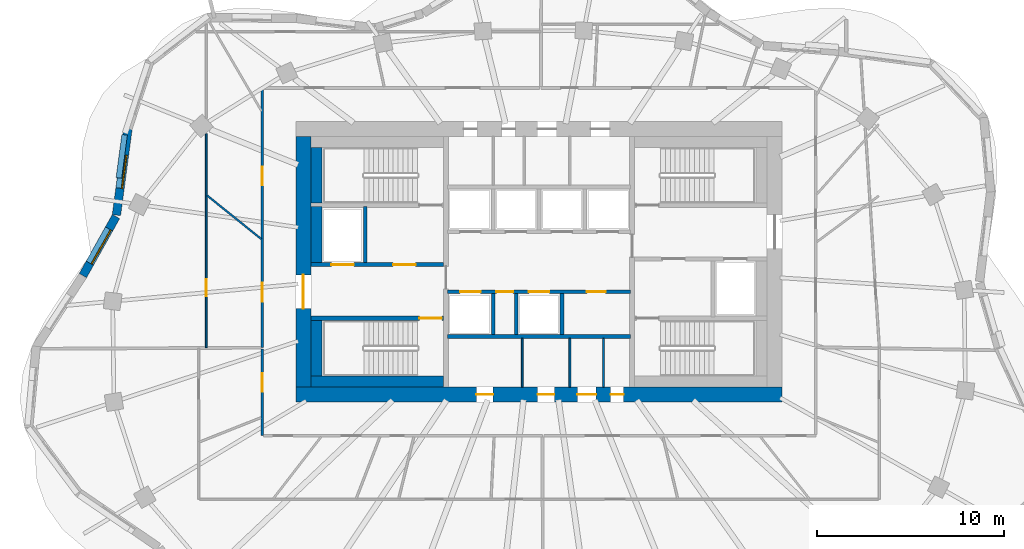
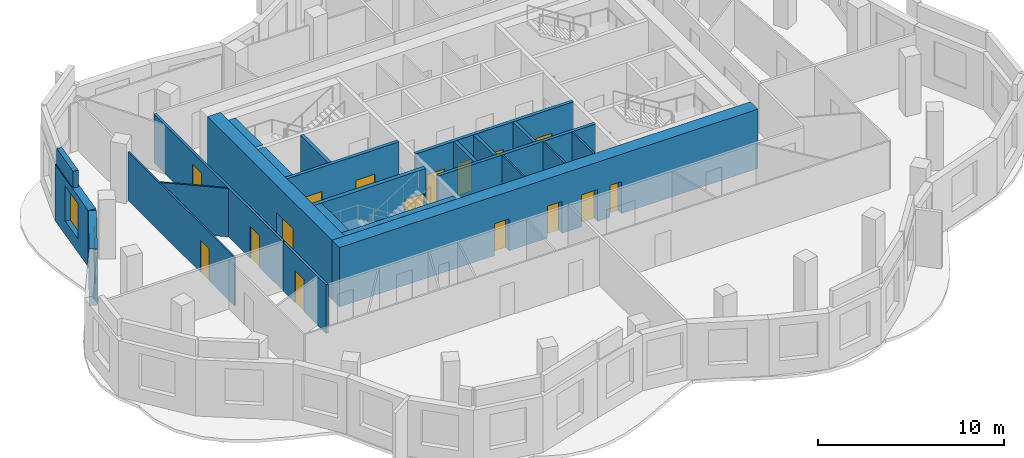
# One storey, part 4 of 9: 24 walls, 16 doors, 2 windows, 18 openings.
"""IFC4 building model written with IfcOpenShell, lengths in metres."""

import ifcopenshell
import ifcopenshell.guid

model = None  # the IFC model being written
_history = None  # IfcOwnerHistory: only IFC2X3 demands one
_inside = {}  # id of a spatial element -> (the spatial element, [elements in it])
_under = {}  # id of a project, library or spatial element -> (it, [spatial elements below it])
_declared = {}  # id of a project -> (the project, [libraries it declares])
_typed = {}  # id of a type object -> (the type object, [elements of that type])
_made_of = {}  # id of a material, layer set ... -> (it, [elements and type objects made of it])


def new_model(schema):
    """Start an empty IFC model of exactly this schema.

    Asked for "IFC4X3", IfcOpenShell would pick the latest addendum, in which some entities
    have other attributes; the version numbers below select the first issue.
    IFC2X3 requires an IfcOwnerHistory on every rooted entity: one is made here for all.
    """
    global model, _history
    if schema == "IFC4X3":
        model = ifcopenshell.file(schema_version=(4, 3, 0, 0))
    else:
        model = ifcopenshell.file(schema=schema)
    _inside.clear()
    _under.clear()
    _declared.clear()
    _typed.clear()
    _made_of.clear()
    _history = None
    if model.schema == "IFC2X3":
        org = make("IfcOrganization", Name="unknown")
        user = make(
            "IfcPersonAndOrganization",
            ThePerson=make("IfcPerson", FamilyName="unknown"),
            TheOrganization=org,
        )
        app = make(
            "IfcApplication",
            ApplicationDeveloper=org,
            Version="unknown",
            ApplicationFullName="unknown",
            ApplicationIdentifier="unknown",
        )
        _history = make(
            "IfcOwnerHistory",
            OwningUser=user,
            OwningApplication=app,
            ChangeAction="ADDED",
            CreationDate=0,
        )
    return model


def make(cls, **values):
    """One entity of the class cls with the attributes given. An attribute that is None is left unset."""
    return model.create_entity(
        cls, **{name: value for name, value in values.items() if value is not None}
    )


def rooted(cls, **values):
    """An entity with a GlobalId (a new one), such as an element, a storey or a relation."""
    return make(cls, GlobalId=ifcopenshell.guid.new(), OwnerHistory=_history, **values)


def si_unit(unit_type, name, prefix=None):
    """IfcSIUnit, for example si_unit("LENGTHUNIT", "METRE", prefix="MILLI")."""
    return make("IfcSIUnit", UnitType=unit_type, Prefix=prefix, Name=name)


def assignment(units):
    """IfcUnitAssignment: the units of a project."""
    return None if units is None else make("IfcUnitAssignment", Units=units)


def point(xyz):
    """IfcCartesianPoint."""
    return None if xyz is None else make("IfcCartesianPoint", Coordinates=xyz)


def direction(xyz):
    """IfcDirection."""
    return None if xyz is None else make("IfcDirection", DirectionRatios=xyz)


def frame(location, z_axis=None, x_axis=None):
    """IfcAxis2Placement3D, a coordinate frame: its origin and axes. An axis left out is left unset."""
    return make(
        "IfcAxis2Placement3D",
        Location=point(location),
        Axis=direction(z_axis),
        RefDirection=direction(x_axis),
    )


def frame_2d(location, x_axis=None):
    """IfcAxis2Placement2D, a coordinate frame in the plane: its origin and x axis."""
    return make(
        "IfcAxis2Placement2D", Location=point(location), RefDirection=direction(x_axis)
    )


def origin():
    """The frame at (0, 0, 0) with its axes left unset."""
    return frame((0.0, 0.0, 0.0))


def place(relative_to, where):
    """IfcLocalPlacement: puts the frame where relative to a parent placement (None: the world)."""
    return make(
        "IfcLocalPlacement", PlacementRelTo=relative_to, RelativePlacement=where
    )


def context(
    kind, dimensions, precision=None, world=None, true_north=None, identifier=None
):
    """IfcGeometricRepresentationContext, for example the 3D "Model" context."""
    return make(
        "IfcGeometricRepresentationContext",
        ContextIdentifier=identifier,
        ContextType=kind,
        CoordinateSpaceDimension=dimensions,
        Precision=precision,
        WorldCoordinateSystem=world,
        TrueNorth=true_north,
    )


def subcontext(parent, identifier, kind, view, scale=None):
    """IfcGeometricRepresentationSubContext, for example "Body" below "Model"."""
    return make(
        "IfcGeometricRepresentationSubContext",
        ContextIdentifier=identifier,
        ContextType=kind,
        ParentContext=parent,
        TargetScale=scale,
        TargetView=view,
    )


def project(units=None, contexts=None):
    """IfcProject with its units and contexts."""
    return rooted(
        "IfcProject",
        Name="project",
        RepresentationContexts=contexts,
        UnitsInContext=assignment(units),
    )


def spatial(cls, under=None, at=None, **own):
    """A site, building, storey or space (cls), placed at a placement, below another one or the project."""
    s = rooted(cls, ObjectPlacement=at, **own)
    if under is not None:
        _under.setdefault(under.id(), (under, []))[1].append(s)
    return s


def profile(cls, at=None, kind="AREA", **sizes):
    """A parametric profile (cls). Its sizes go by their IFC names, for example OverallWidth=200.0."""
    return make(cls, ProfileType=kind, Position=at, **sizes)


def rectangle(**sizes):
    """IfcRectangleProfileDef."""
    return profile("IfcRectangleProfileDef", **sizes)


def extrude(swept, where, along, depth):
    """IfcExtrudedAreaSolid: the profile swept, set in the frame where, extruded along a direction by depth."""
    return make(
        "IfcExtrudedAreaSolid",
        SweptArea=swept,
        Position=where,
        ExtrudedDirection=direction(along),
        Depth=depth,
    )


def shape(context_of_items, identifier, shape_type, items):
    """IfcShapeRepresentation: the items that make up one representation, for example the "Body"."""
    return make(
        "IfcShapeRepresentation",
        ContextOfItems=context_of_items,
        RepresentationIdentifier=identifier,
        RepresentationType=shape_type,
        Items=items,
    )


def material(Name=None, Category=None):
    """IfcMaterial."""
    return make("IfcMaterial", Name=Name, Category=Category)


def layer(
    of_material, thickness, ventilated=None, Name=None, Category=None, Priority=None
):
    """IfcMaterialLayer: one layer of a wall or slab, of a material (None: an air gap)."""
    return make(
        "IfcMaterialLayer",
        Material=of_material,
        LayerThickness=thickness,
        IsVentilated=ventilated,
        Name=Name,
        Category=Category,
        Priority=Priority,
    )


def layer_set(layers, Name=None):
    """IfcMaterialLayerSet."""
    return make("IfcMaterialLayerSet", MaterialLayers=layers, LayerSetName=Name)


def made_of(thing, what):
    """Note that an element or type object is made of a material, layer set ...; save() writes the relation."""
    if what is not None:
        _made_of.setdefault(what.id(), (what, []))[1].append(thing)
    return thing


def type_object(cls, material=None, **own):
    """A type object (cls), such as IfcWallType, which elements share."""
    return made_of(rooted(cls, **own), material)


def element(
    cls,
    number,
    at=None,
    inside=None,
    cuts=None,
    type_object=None,
    material=None,
    context=None,
    identifier="Body",
    shape_type=None,
    held_by="IfcProductDefinitionShape",
    body=None,
    shapes=None,
    **own,
):
    """One element of the class cls, such as IfcWall. Its Tag is "e" and its number.

    at: its placement. inside: the storey or other place that contains it. cuts: it is an
    opening in that element (IfcRelVoidsElement). A single representation is given by context,
    identifier, shape_type and body (its items); several are given by shapes. held_by: the class
    of the entity that holds the representations. save() writes the other relations.
    """
    e = rooted(cls, Tag="e%d" % number, ObjectPlacement=at, **own)
    if body is not None:
        shapes = [shape(context, identifier, shape_type, body)]
    if shapes is not None:
        e.Representation = make(held_by, Representations=shapes)
    if inside is not None:
        _inside.setdefault(inside.id(), (inside, []))[1].append(e)
    if cuts is not None:
        rooted(
            "IfcRelVoidsElement", RelatingBuildingElement=cuts, RelatedOpeningElement=e
        )
    if type_object is not None:
        _typed.setdefault(type_object.id(), (type_object, []))[1].append(e)
    return made_of(e, material)


def fill(opening, filler):
    """IfcRelFillsElement: the door or window that sits in an opening."""
    return rooted(
        "IfcRelFillsElement",
        RelatingOpeningElement=opening,
        RelatedBuildingElement=filler,
    )


def aggregate(whole, parts):
    """IfcRelAggregates: a whole, such as a stair, and the parts it consists of."""
    return rooted("IfcRelAggregates", RelatingObject=whole, RelatedObjects=parts)


def save(model, path):
    """Write the relations noted so far, then the file.

    IfcRelAggregates (storeys below a building ...), IfcRelContainedInSpatialStructure (elements
    in a storey), IfcRelDefinesByType, IfcRelAssociatesMaterial and IfcRelDeclares: one each for
    every whole, place, type object, material and project.
    """
    for whole, parts in _under.values():
        aggregate(whole, parts)
    for where, things in _inside.values():
        rooted(
            "IfcRelContainedInSpatialStructure",
            RelatedElements=things,
            RelatingStructure=where,
        )
    for kind, things in _typed.values():
        rooted("IfcRelDefinesByType", RelatedObjects=things, RelatingType=kind)
    for what, things in _made_of.values():
        rooted("IfcRelAssociatesMaterial", RelatedObjects=things, RelatingMaterial=what)
    for by, libraries in _declared.values():
        rooted("IfcRelDeclares", RelatingContext=by, RelatedDefinitions=libraries)
    model.write(path)


model = new_model("IFC4")

# Units and contexts
model_context = context("Model", 3, precision=1e-05, world=origin(), true_north=direction((0.0, 1.0)))
body_context = subcontext(model_context, "Body", "Model", "MODEL_VIEW")
ifc_project = project(units=[si_unit("LENGTHUNIT", "METRE"), si_unit("AREAUNIT", "SQUARE_METRE"), si_unit("VOLUMEUNIT", "CUBIC_METRE"), si_unit("PLANEANGLEUNIT", "RADIAN"), si_unit("MASSUNIT", "GRAM", prefix="KILO")], contexts=[model_context])

# Site, building, storey
site_placement = place(None, origin())
site = spatial("IfcSite", under=ifc_project, at=site_placement, CompositionType="ELEMENT")
building_placement = place(site_placement, origin())
building = spatial("IfcBuilding", under=site, at=building_placement, Name="Rubra Terraces Tower", CompositionType="ELEMENT")
storey_placement = place(building_placement, frame((0.0, 0.0, 300.0)))
storey = spatial("IfcBuildingStorey", under=building, at=storey_placement, Name="L74", CompositionType="ELEMENT", Elevation=300.0)

# Wall, opening, window
ifc_material_1 = material(Name="Brick masonry red-brown", Category="masonry")
ifc_layer_1 = layer(ifc_material_1, 0.449951171875)
ifc_layer_set_1 = layer_set([ifc_layer_1], Name="Brick masonry red-brown")
wall_type_1 = type_object("IfcWallType", Name="Brick facade wall 450", PredefinedType="SOLIDWALL", material=ifc_layer_set_1)
wall_1_placement = place(storey_placement, frame((-21.97705078125, 11.652099609375, 0.0), z_axis=(0.0, 0.0, 1.0), x_axis=(-0.132606175271, -0.991168806148, 0.0)))
wall_1 = element("IfcWall", 1, at=wall_1_placement, inside=storey, type_object=wall_type_1, Name="Facade wall L74 bay 18", PredefinedType="SOLIDWALL", context=body_context, shape_type="SweptSolid", body=[
    extrude(rectangle(XDim=4.698486328125, YDim=0.449951171875, at=frame_2d((2.34912109375, 0.0))), origin(), (0.0, 0.0, 1.0), 3.699951171875),
])
opening_1_placement = place(wall_1_placement, frame((1.44921875, 0.0, 0.89990234375)))
opening_1 = element("IfcOpeningElement", 2, at=opening_1_placement, cuts=wall_1, Name="Opening W6B", PredefinedType="OPENING", context=body_context, shape_type="SweptSolid", body=[
    extrude(rectangle(XDim=1.800048828125, YDim=2.300048828125, at=frame_2d((0.89990234375, 1.14990234375))), frame((0.0, 0.23486328125, 0.0), z_axis=(0.0, -1.0, 0.0), x_axis=(1.0, 0.0, 0.0)), (0.0, 0.0, 1.0), 0.469970703125),
])
ifc_material_2 = material(Name="Clear glass in aluminium frame", Category="aluminium")
window_type_1 = type_object("IfcWindowType", Name="Fixed deep-set window at wind fin tall storey 1800 x 2300", PartitioningType="SINGLE_PANEL", PredefinedType="WINDOW", material=ifc_material_2)
window_1_placement = place(opening_1_placement, origin())
window_1 = element("IfcWindow", 3, at=window_1_placement, inside=storey, type_object=window_type_1, Name="Window L74 bay 18", OverallHeight=2.300048828125, OverallWidth=1.800048828125, PartitioningType="SINGLE_PANEL", PredefinedType="WINDOW", context=body_context, shape_type="SweptSolid", body=[
    extrude(rectangle(XDim=1.800048828125, YDim=2.300048828125, at=frame_2d((0.89990234375, 1.14990234375))), frame((0.0, 0.135009765625, 0.0), z_axis=(0.0, -1.0, 0.0), x_axis=(1.0, 0.0, 0.0)), (0.0, 0.0, 1.0), 0.06005859375),
])
fill(opening_1, window_1)

wall_2_placement = place(storey_placement, frame((-22.623779296875, 6.920166015625, 0.0), z_axis=(0.0, 0.0, 1.0), x_axis=(-0.488352973107, -0.872646190422, 0.0)))
wall_2 = element("IfcWall", 4, at=wall_2_placement, inside=storey, type_object=wall_type_1, Name="Facade wall L74 bay 19", PredefinedType="SOLIDWALL", context=body_context, shape_type="SweptSolid", body=[
    extrude(rectangle(XDim=3.62255859375, YDim=0.449951171875, at=frame_2d((1.811279296875, 0.0))), origin(), (0.0, 0.0, 1.0), 3.699951171875),
])
opening_2_placement = place(wall_2_placement, frame((0.760986328125, 0.0, 0.89990234375)))
opening_2 = element("IfcOpeningElement", 5, at=opening_2_placement, cuts=wall_2, Name="Opening W1B", PredefinedType="OPENING", context=body_context, shape_type="SweptSolid", body=[
    extrude(rectangle(XDim=2.10009765625, YDim=2.300048828125, at=frame_2d((1.050048828125, 1.14990234375))), frame((0.0, 0.23486328125, 0.0), z_axis=(0.0, -1.0, 0.0), x_axis=(1.0, 0.0, 0.0)), (0.0, 0.0, 1.0), 0.469970703125),
])
window_type_2 = type_object("IfcWindowType", Name="Fixed deep-set window tall storey 2100 x 2300", PartitioningType="SINGLE_PANEL", PredefinedType="WINDOW", material=ifc_material_2)
window_2_placement = place(opening_2_placement, origin())
window_2 = element("IfcWindow", 6, at=window_2_placement, inside=storey, type_object=window_type_2, Name="Window L74 bay 19", OverallHeight=2.300048828125, OverallWidth=2.10009765625, PartitioningType="SINGLE_PANEL", PredefinedType="WINDOW", context=body_context, shape_type="SweptSolid", body=[
    extrude(rectangle(XDim=2.10009765625, YDim=2.300048828125, at=frame_2d((1.050048828125, 1.14990234375))), frame((0.0, 0.135009765625, 0.0), z_axis=(0.0, -1.0, 0.0), x_axis=(1.0, 0.0, 0.0)), (0.0, 0.0, 1.0), 0.06005859375),
])
fill(opening_2, window_2)

# Wall
ifc_layer_2 = layer(ifc_material_1, 0.300048828125)
ifc_layer_set_2 = layer_set([ifc_layer_2], Name="Brick masonry red-brown")
wall_type_2 = type_object("IfcWallType", Name="Brick parapet 300", PredefinedType="PARAPET", material=ifc_layer_set_2)
wall_3_placement = place(storey_placement, frame((-22.161865234375, 11.28759765625, 3.89990234375), z_axis=(0.0, 0.0, 1.0), x_axis=(-0.132583148979, -0.991171886509, 0.0)))
element("IfcWall", 7, at=wall_3_placement, inside=storey, type_object=wall_type_2, Name="Parapet L74 bay 18", PredefinedType="PARAPET", context=body_context, shape_type="SweptSolid", body=[
    extrude(rectangle(XDim=2.32568359375, YDim=0.300048828125, at=frame_2d((1.162841796875, 0.0))), origin(), (0.0, 0.0, 1.0), 1.10009765625),
])

# Wall, openings, doors
ifc_material_3 = material(Name="Concrete C50", Category="concrete")
ifc_layer_3 = layer(ifc_material_3, 0.800048828125)
ifc_layer_set_3 = layer_set([ifc_layer_3], Name="Concrete C50")
wall_type_3 = type_object("IfcWallType", Name="CORE WALL 800 C50", PredefinedType="SHEAR", material=ifc_layer_set_3)
wall_4_placement = place(storey_placement, frame((-13.0, -2.60009765625, 0.0), z_axis=(0.0, 0.0, 1.0), x_axis=(1.0, 0.0, 0.0)))
wall_4 = element("IfcWall", 8, at=wall_4_placement, inside=storey, type_object=wall_type_3, Name="CORE WALL S L74", PredefinedType="SHEAR", context=body_context, shape_type="SweptSolid", body=[
    extrude(rectangle(XDim=26.0, YDim=0.800048828125, at=frame_2d((13.0, 0.0))), origin(), (0.0, 0.0, 1.0), 3.89990234375),
])
opening_3_placement = place(wall_4_placement, frame((9.64990234375, 0.0, 0.0)))
opening_3 = element("IfcOpeningElement", 9, at=opening_3_placement, cuts=wall_4, Name="Opening L74.C21", PredefinedType="OPENING", context=body_context, shape_type="SweptSolid", body=[
    extrude(rectangle(XDim=0.89990234375, YDim=2.10009765625, at=frame_2d((0.449951171875, 1.050048828125))), frame((0.0, 0.409912109375, 0.0), z_axis=(0.0, -1.0, 0.0), x_axis=(1.0, 0.0, 0.0)), (0.0, 0.0, 1.0), 0.820068359375),
])
opening_4_placement = place(wall_4_placement, frame((12.925048828125, 0.0, 0.0)))
opening_4 = element("IfcOpeningElement", 10, at=opening_4_placement, cuts=wall_4, Name="Opening L74.C22", PredefinedType="OPENING", context=body_context, shape_type="SweptSolid", body=[
    extrude(rectangle(XDim=0.89990234375, YDim=2.10009765625, at=frame_2d((0.449951171875, 1.050048828125))), frame((0.0, 0.409912109375, 0.0), z_axis=(0.0, -1.0, 0.0), x_axis=(1.0, 0.0, 0.0)), (0.0, 0.0, 1.0), 0.820068359375),
])
opening_5_placement = place(wall_4_placement, frame((15.050048828125, 0.0, 0.0)))
opening_5 = element("IfcOpeningElement", 11, at=opening_5_placement, cuts=wall_4, Name="Opening L74.C23", PredefinedType="OPENING", context=body_context, shape_type="SweptSolid", body=[
    extrude(rectangle(XDim=1.0, YDim=2.10009765625, at=frame_2d((0.5, 1.050048828125))), frame((0.0, 0.409912109375, 0.0), z_axis=(0.0, -1.0, 0.0), x_axis=(1.0, 0.0, 0.0)), (0.0, 0.0, 1.0), 0.820068359375),
])
opening_6_placement = place(wall_4_placement, frame((16.824951171875, 0.0, 0.0)))
opening_6 = element("IfcOpeningElement", 12, at=opening_6_placement, cuts=wall_4, Name="Opening L74.C24", PredefinedType="OPENING", context=body_context, shape_type="SweptSolid", body=[
    extrude(rectangle(XDim=0.699951171875, YDim=2.10009765625, at=frame_2d((0.35009765625, 1.050048828125))), frame((0.0, 0.409912109375, 0.0), z_axis=(0.0, -1.0, 0.0), x_axis=(1.0, 0.0, 0.0)), (0.0, 0.0, 1.0), 0.820068359375),
])
ifc_material_4 = material(Name="Painted steel", Category="steel")
door_type_1 = type_object("IfcDoorType", Name="Fire door 1000x2100 single", OperationType="NOTDEFINED", PredefinedType="DOOR", material=ifc_material_4)
door_1_placement = place(opening_5_placement, origin())
door_1 = element("IfcDoor", 13, at=door_1_placement, inside=storey, type_object=door_type_1, Name="Accessible WC door", OperationType="SINGLE_SWING_LEFT", OverallHeight=2.10009765625, OverallWidth=1.0, PredefinedType="DOOR", context=body_context, shape_type="SweptSolid", body=[
    extrude(rectangle(XDim=1.0, YDim=2.10009765625, at=frame_2d((0.5, 1.050048828125))), frame((0.0, 0.02490234375, 0.0), z_axis=(0.0, -1.0, 0.0), x_axis=(1.0, 0.0, 0.0)), (0.0, 0.0, 1.0), 0.050048828125),
])
fill(opening_5, door_1)
door_type_2 = type_object("IfcDoorType", Name="Fire door 900x2100 single", OperationType="NOTDEFINED", PredefinedType="DOOR", material=ifc_material_4)
door_2_placement = place(opening_3_placement, origin())
door_2 = element("IfcDoor", 14, at=door_2_placement, inside=storey, type_object=door_type_2, Name="Ladies WC door", OperationType="SINGLE_SWING_LEFT", OverallHeight=2.10009765625, OverallWidth=0.89990234375, PredefinedType="DOOR", context=body_context, shape_type="SweptSolid", body=[
    extrude(rectangle(XDim=0.89990234375, YDim=2.10009765625, at=frame_2d((0.449951171875, 1.050048828125))), frame((0.0, 0.02490234375, 0.0), z_axis=(0.0, -1.0, 0.0), x_axis=(1.0, 0.0, 0.0)), (0.0, 0.0, 1.0), 0.050048828125),
])
fill(opening_3, door_2)
door_3_placement = place(opening_4_placement, origin())
door_3 = element("IfcDoor", 15, at=door_3_placement, inside=storey, type_object=door_type_2, Name="Gents WC door", OperationType="SINGLE_SWING_RIGHT", OverallHeight=2.10009765625, OverallWidth=0.89990234375, PredefinedType="DOOR", context=body_context, shape_type="SweptSolid", body=[
    extrude(rectangle(XDim=0.89990234375, YDim=2.10009765625, at=frame_2d((0.449951171875, 1.050048828125))), frame((0.0, 0.02490234375, 0.0), z_axis=(0.0, -1.0, 0.0), x_axis=(1.0, 0.0, 0.0)), (0.0, 0.0, 1.0), 0.050048828125),
])
fill(opening_4, door_3)
door_type_3 = type_object("IfcDoorType", Name="Riser access door 700x2100 single", OperationType="NOTDEFINED", PredefinedType="DOOR", material=ifc_material_4)
door_4_placement = place(opening_6_placement, origin())
door_4 = element("IfcDoor", 16, at=door_4_placement, inside=storey, type_object=door_type_3, Name="Water and drainage riser door", OperationType="SINGLE_SWING_RIGHT", OverallHeight=2.10009765625, OverallWidth=0.699951171875, PredefinedType="DOOR", context=body_context, shape_type="SweptSolid", body=[
    extrude(rectangle(XDim=0.699951171875, YDim=2.10009765625, at=frame_2d((0.35009765625, 1.050048828125))), frame((0.0, 0.02490234375, 0.0), z_axis=(0.0, -1.0, 0.0), x_axis=(1.0, 0.0, 0.0)), (0.0, 0.0, 1.0), 0.050048828125),
])
fill(opening_6, door_4)

# Wall, opening, door
wall_5_placement = place(storey_placement, frame((-12.60009765625, -2.199951171875, 0.0), z_axis=(0.0, 0.0, 1.0), x_axis=(0.0, 1.0, 0.0)))
wall_5 = element("IfcWall", 17, at=wall_5_placement, inside=storey, type_object=wall_type_3, Name="CORE WALL W L74", PredefinedType="SHEAR", context=body_context, shape_type="SweptSolid", body=[
    extrude(rectangle(XDim=13.39990234375, YDim=0.800048828125, at=frame_2d((6.699951171875, 0.0))), origin(), (0.0, 0.0, 1.0), 3.89990234375),
])
opening_7_placement = place(wall_5_placement, frame((4.199951171875, 0.0, 0.0)))
opening_7 = element("IfcOpeningElement", 18, at=opening_7_placement, cuts=wall_5, Name="Opening L74.C01", PredefinedType="OPENING", context=body_context, shape_type="SweptSolid", body=[
    extrude(rectangle(XDim=1.800048828125, YDim=2.10009765625, at=frame_2d((0.89990234375, 1.050048828125))), frame((0.0, 0.409912109375, 0.0), z_axis=(0.0, -1.0, 0.0), x_axis=(1.0, 0.0, 0.0)), (0.0, 0.0, 1.0), 0.820068359375),
])
door_type_4 = type_object("IfcDoorType", Name="Fire door 1800x2100 double", OperationType="NOTDEFINED", PredefinedType="DOOR", material=ifc_material_4)
door_5_placement = place(opening_7_placement, origin())
door_5 = element("IfcDoor", 19, at=door_5_placement, inside=storey, type_object=door_type_4, Name="Core entrance door FF1", OperationType="DOUBLE_DOOR_SINGLE_SWING", OverallHeight=2.10009765625, OverallWidth=1.800048828125, PredefinedType="DOOR", context=body_context, shape_type="SweptSolid", body=[
    extrude(rectangle(XDim=1.800048828125, YDim=2.10009765625, at=frame_2d((0.89990234375, 1.050048828125))), frame((0.0, 0.02490234375, 0.0), z_axis=(0.0, -1.0, 0.0), x_axis=(1.0, 0.0, 0.0)), (0.0, 0.0, 1.0), 0.050048828125),
])
fill(opening_7, door_5)

# Wall, openings, doors
ifc_material_5 = material(Name="Plasterboard on steel stud, mineral wool infill", Category="steel")
ifc_layer_4 = layer(ifc_material_5, 0.14990234375)
ifc_layer_set_4 = layer_set([ifc_layer_4], Name="Plasterboard on steel stud, mineral wool infill")
wall_type_4 = type_object("IfcWallType", Name="CORRIDOR PARTITION 150", PredefinedType="PARTITIONING", material=ifc_layer_set_4)
wall_6_placement = place(storey_placement, frame((-14.800048828125, 13.72509765625, 0.0), z_axis=(0.0, 0.0, 1.0), x_axis=(0.0, -1.0, 0.0)))
wall_6 = element("IfcWall", 20, at=wall_6_placement, inside=storey, type_object=wall_type_4, Name="PARTITION", PredefinedType="PARTITIONING", context=body_context, shape_type="SweptSolid", body=[
    extrude(rectangle(XDim=13.821044921875, YDim=0.14990234375, at=frame_2d((6.91064453125, 0.0))), origin(), (0.0, 0.0, 1.0), 3.197998046875),
])
opening_8_placement = place(wall_6_placement, frame((4.14306640625, 0.0, 0.0)))
opening_8 = element("IfcOpeningElement", 21, at=opening_8_placement, cuts=wall_6, Name="Opening 74-108", PredefinedType="OPENING", context=body_context, shape_type="SweptSolid", body=[
    extrude(rectangle(XDim=1.0, YDim=2.39990234375, at=frame_2d((0.5, 1.199951171875))), frame((0.0, 0.0849609375, 0.0), z_axis=(0.0, -1.0, 0.0), x_axis=(1.0, 0.0, 0.0)), (0.0, 0.0, 1.0), 0.169921875),
])
opening_9_placement = place(wall_6_placement, frame((10.35009765625, 0.0, 0.0)))
opening_9 = element("IfcOpeningElement", 22, at=opening_9_placement, cuts=wall_6, Name="Opening 74-126", PredefinedType="OPENING", context=body_context, shape_type="SweptSolid", body=[
    extrude(rectangle(XDim=1.0, YDim=2.10009765625, at=frame_2d((0.5, 1.050048828125))), frame((0.0, 0.0849609375, 0.0), z_axis=(0.0, -1.0, 0.0), x_axis=(1.0, 0.0, 0.0)), (0.0, 0.0, 1.0), 0.169921875),
])
ifc_material_6 = material(Name="Glazed aluminium meeting door leaf", Category="aluminium")
door_type_5 = type_object("IfcDoorType", Name="MEETING ROOM GLAZED DOOR 1000 X 2400", OperationType="SINGLE_SWING_LEFT", PredefinedType="DOOR", material=ifc_material_6)
door_6_placement = place(opening_8_placement, origin())
door_6 = element("IfcDoor", 23, at=door_6_placement, inside=storey, type_object=door_type_5, Name="DOOR 74-108", OperationType="SINGLE_SWING_RIGHT", OverallHeight=2.39990234375, OverallWidth=1.0, PredefinedType="DOOR", context=body_context, shape_type="SweptSolid", body=[
    extrude(rectangle(XDim=1.0, YDim=2.39990234375, at=frame_2d((0.5, 1.199951171875))), frame((0.0, 0.02490234375, 0.0), z_axis=(0.0, -1.0, 0.0), x_axis=(1.0, 0.0, 0.0)), (0.0, 0.0, 1.0), 0.050048828125),
])
fill(opening_8, door_6)
ifc_material_7 = material(Name="Painted timber door leaf", Category="wood")
door_type_6 = type_object("IfcDoorType", Name="ROOM DOOR 1000 X 2100", OperationType="SINGLE_SWING_LEFT", PredefinedType="DOOR", material=ifc_material_7)
door_7_placement = place(opening_9_placement, origin())
door_7 = element("IfcDoor", 24, at=door_7_placement, inside=storey, type_object=door_type_6, Name="DOOR 74-126", OperationType="SINGLE_SWING_RIGHT", OverallHeight=2.10009765625, OverallWidth=1.0, PredefinedType="DOOR", context=body_context, shape_type="SweptSolid", body=[
    extrude(rectangle(XDim=1.0, YDim=2.10009765625, at=frame_2d((0.5, 1.050048828125))), frame((0.0, 0.02490234375, 0.0), z_axis=(0.0, -1.0, 0.0), x_axis=(1.0, 0.0, 0.0)), (0.0, 0.0, 1.0), 0.050048828125),
])
fill(opening_9, door_7)

# Wall, opening, door
wall_7_placement = place(storey_placement, frame((-14.800048828125, -0.1708984375, 0.0), z_axis=(0.0, 0.0, 1.0), x_axis=(0.0, -1.0, 0.0)))
wall_7 = element("IfcWall", 25, at=wall_7_placement, inside=storey, type_object=wall_type_4, Name="PARTITION", PredefinedType="PARTITIONING", context=body_context, shape_type="SweptSolid", body=[
    extrude(rectangle(XDim=4.629150390625, YDim=0.14990234375, at=frame_2d((2.314453125, 0.0))), origin(), (0.0, 0.0, 1.0), 3.197998046875),
])
opening_10_placement = place(wall_7_placement, frame((1.281005859375, 0.0, 0.0)))
opening_10 = element("IfcOpeningElement", 26, at=opening_10_placement, cuts=wall_7, Name="Opening 74-110", PredefinedType="OPENING", context=body_context, shape_type="SweptSolid", body=[
    extrude(rectangle(XDim=1.0, YDim=2.10009765625, at=frame_2d((0.5, 1.050048828125))), frame((0.0, 0.0849609375, 0.0), z_axis=(0.0, -1.0, 0.0), x_axis=(1.0, 0.0, 0.0)), (0.0, 0.0, 1.0), 0.169921875),
])
door_8_placement = place(opening_10_placement, origin())
door_8 = element("IfcDoor", 27, at=door_8_placement, inside=storey, type_object=door_type_6, Name="DOOR 74-110", OperationType="SINGLE_SWING_RIGHT", OverallHeight=2.10009765625, OverallWidth=1.0, PredefinedType="DOOR", context=body_context, shape_type="SweptSolid", body=[
    extrude(rectangle(XDim=1.0, YDim=2.10009765625, at=frame_2d((0.5, 1.050048828125))), frame((0.0, 0.02490234375, 0.0), z_axis=(0.0, -1.0, 0.0), x_axis=(1.0, 0.0, 0.0)), (0.0, 0.0, 1.0), 0.050048828125),
])
fill(opening_10, door_8)

# Walls
ifc_material_8 = material(Name="Concrete C40", Category="concrete")
ifc_layer_5 = layer(ifc_material_8, 0.60009765625)
ifc_layer_set_5 = layer_set([ifc_layer_5], Name="Concrete C40")
wall_type_5 = type_object("IfcWallType", Name="Core lining wall 600 concrete", PredefinedType="SOLIDWALL", material=ifc_layer_set_5)
wall_8_placement = place(storey_placement, frame((-12.199951171875, -1.89990234375, 0.0), z_axis=(0.0, 0.0, 1.0), x_axis=(1.0, 0.0, 0.0)))
element("IfcWall", 28, at=wall_8_placement, inside=storey, type_object=wall_type_5, Name="CORE LINING WALL L74", PredefinedType="SOLIDWALL", context=body_context, shape_type="SweptSolid", body=[
    extrude(rectangle(XDim=7.099853515625, YDim=0.60009765625, at=frame_2d((3.5498046875, 0.0))), origin(), (0.0, 0.0, 1.0), 3.699951171875),
])
wall_9_placement = place(storey_placement, frame((-11.89990234375, -1.60009765625, 0.0), z_axis=(0.0, 0.0, 1.0), x_axis=(0.0, 1.0, 0.0)))
element("IfcWall", 29, at=wall_9_placement, inside=storey, type_object=wall_type_5, Name="CORE LINING WALL L74", PredefinedType="SOLIDWALL", context=body_context, shape_type="SweptSolid", body=[
    extrude(rectangle(XDim=2.9501953125, YDim=0.60009765625, at=frame_2d((1.47509765625, 0.0))), origin(), (0.0, 0.0, 1.0), 3.699951171875),
])
wall_10_placement = place(storey_placement, frame((-11.89990234375, 4.449951171875, 0.0), z_axis=(0.0, 0.0, 1.0), x_axis=(0.0, 1.0, 0.0)))
element("IfcWall", 30, at=wall_10_placement, inside=storey, type_object=wall_type_5, Name="CORE LINING WALL L74", PredefinedType="SOLIDWALL", context=body_context, shape_type="SweptSolid", body=[
    extrude(rectangle(XDim=3.0, YDim=0.60009765625, at=frame_2d((1.5, 0.0))), origin(), (0.0, 0.0, 1.0), 3.699951171875),
])
wall_11_placement = place(storey_placement, frame((-11.89990234375, 7.64990234375, 0.0), z_axis=(0.0, 0.0, 1.0), x_axis=(0.0, 1.0, 0.0)))
element("IfcWall", 31, at=wall_11_placement, inside=storey, type_object=wall_type_5, Name="CORE LINING WALL L74", PredefinedType="SOLIDWALL", context=body_context, shape_type="SweptSolid", body=[
    extrude(rectangle(XDim=2.9501953125, YDim=0.60009765625, at=frame_2d((1.47509765625, 0.0))), origin(), (0.0, 0.0, 1.0), 3.699951171875),
])

# Wall, openings, doors
ifc_material_9 = material(Name="Concrete C30", Category="concrete")
ifc_layer_6 = layer(ifc_material_9, 0.199951171875)
ifc_layer_set_6 = layer_set([ifc_layer_6], Name="Concrete C30")
wall_type_6 = type_object("IfcWallType", Name="Core wall 200 concrete", PredefinedType="SOLIDWALL", material=ifc_layer_set_6)
wall_12_placement = place(storey_placement, frame((-12.199951171875, 4.35009765625, 0.0), z_axis=(0.0, 0.0, 1.0), x_axis=(1.0, 0.0, 0.0)))
wall_12 = element("IfcWall", 32, at=wall_12_placement, inside=storey, type_object=wall_type_6, Name="STAIR WALL L74", PredefinedType="SOLIDWALL", context=body_context, shape_type="SweptSolid", body=[
    extrude(rectangle(XDim=7.099853515625, YDim=0.199951171875, at=frame_2d((3.5498046875, 0.0))), origin(), (0.0, 0.0, 1.0), 3.699951171875),
])
opening_11_placement = place(wall_12_placement, frame((4.39990234375, 0.0, 0.0)))
opening_11 = element("IfcOpeningElement", 33, at=opening_11_placement, cuts=wall_12, Name="Opening L74.C05", PredefinedType="OPENING", context=body_context, shape_type="SweptSolid", body=[
    extrude(rectangle(XDim=1.199951171875, YDim=2.10009765625, at=frame_2d((0.60009765625, 1.050048828125))), frame((0.0, 0.10986328125, 0.0), z_axis=(0.0, -1.0, 0.0), x_axis=(1.0, 0.0, 0.0)), (0.0, 0.0, 1.0), 0.219970703125),
])
opening_12_placement = place(wall_12_placement, frame((1.10009765625, 0.0, 0.0)))
opening_12 = element("IfcOpeningElement", 34, at=opening_12_placement, cuts=wall_12, Name="Opening L74.C11", PredefinedType="OPENING", context=body_context, shape_type="SweptSolid", body=[
    extrude(rectangle(XDim=1.199951171875, YDim=2.10009765625, at=frame_2d((0.60009765625, 1.050048828125))), frame((0.0, 0.10986328125, 0.0), z_axis=(0.0, -1.0, 0.0), x_axis=(1.0, 0.0, 0.0)), (0.0, 0.0, 1.0), 0.219970703125),
])
door_type_7 = type_object("IfcDoorType", Name="Fire door 1200x2100 single", OperationType="NOTDEFINED", PredefinedType="DOOR", material=ifc_material_4)
door_9_placement = place(opening_11_placement, origin())
door_9 = element("IfcDoor", 35, at=door_9_placement, inside=storey, type_object=door_type_7, Name="Stair vestibule door S2", OperationType="SINGLE_SWING_LEFT", OverallHeight=2.10009765625, OverallWidth=1.199951171875, PredefinedType="DOOR", context=body_context, shape_type="SweptSolid", body=[
    extrude(rectangle(XDim=1.199951171875, YDim=2.10009765625, at=frame_2d((0.60009765625, 1.050048828125))), frame((0.0, 0.02490234375, 0.0), z_axis=(0.0, -1.0, 0.0), x_axis=(1.0, 0.0, 0.0)), (0.0, 0.0, 1.0), 0.050048828125),
])
fill(opening_11, door_9)
ifc_material_10 = material(Name="Stainless steel", Category="steel")
door_type_8 = type_object("IfcDoorType", Name="Lift landing door 1200x2100", OperationType="NOTDEFINED", PredefinedType="DOOR", material=ifc_material_10)
door_10_placement = place(opening_12_placement, origin())
door_10 = element("IfcDoor", 36, at=door_10_placement, inside=storey, type_object=door_type_8, Name="Landing door FF1", OperationType="SLIDING_TO_RIGHT", OverallHeight=2.10009765625, OverallWidth=1.199951171875, PredefinedType="DOOR", context=body_context, shape_type="SweptSolid", body=[
    extrude(rectangle(XDim=1.199951171875, YDim=2.10009765625, at=frame_2d((0.60009765625, 1.050048828125))), frame((0.0, 0.02490234375, 0.0), z_axis=(0.0, -1.0, 0.0), x_axis=(1.0, 0.0, 0.0)), (0.0, 0.0, 1.0), 0.050048828125),
])
fill(opening_12, door_10)

# Walls
wall_13_placement = place(storey_placement, frame((-9.300048828125, 4.449951171875, 0.0), z_axis=(0.0, 0.0, 1.0), x_axis=(0.0, 1.0, 0.0)))
element("IfcWall", 37, at=wall_13_placement, inside=storey, type_object=wall_type_6, Name="STAIR WALL L74", PredefinedType="SOLIDWALL", context=body_context, shape_type="SweptSolid", body=[
    extrude(rectangle(XDim=3.0, YDim=0.199951171875, at=frame_2d((1.5, 0.0))), origin(), (0.0, 0.0, 1.0), 3.699951171875),
])
wall_14_placement = place(storey_placement, frame((-4.89990234375, 0.5, 0.0), z_axis=(0.0, 0.0, 1.0), x_axis=(1.0, 0.0, 0.0)))
element("IfcWall", 38, at=wall_14_placement, inside=storey, type_object=wall_type_6, Name="LIFT SHAFT WALL L74", PredefinedType="SOLIDWALL", context=body_context, shape_type="SweptSolid", body=[
    extrude(rectangle(XDim=9.7998046875, YDim=0.199951171875, at=frame_2d((4.89990234375, 0.0))), origin(), (0.0, 0.0, 1.0), 3.699951171875),
])

# Wall, openings, doors
wall_15_placement = place(storey_placement, frame((-4.89990234375, 2.89990234375, 0.0), z_axis=(0.0, 0.0, 1.0), x_axis=(1.0, 0.0, 0.0)))
wall_15 = element("IfcWall", 39, at=wall_15_placement, inside=storey, type_object=wall_type_6, Name="LIFT SHAFT WALL L74", PredefinedType="SOLIDWALL", context=body_context, shape_type="SweptSolid", body=[
    extrude(rectangle(XDim=9.7998046875, YDim=0.199951171875, at=frame_2d((4.89990234375, 0.0))), origin(), (0.0, 0.0, 1.0), 3.699951171875),
])
opening_13_placement = place(wall_15_placement, frame((0.675048828125, 0.0, 0.0)))
opening_13 = element("IfcOpeningElement", 40, at=opening_13_placement, cuts=wall_15, Name="Opening L74.C13", PredefinedType="OPENING", context=body_context, shape_type="SweptSolid", body=[
    extrude(rectangle(XDim=1.10009765625, YDim=2.10009765625, at=frame_2d((0.550048828125, 1.050048828125))), frame((0.0, 0.10986328125, 0.0), z_axis=(0.0, -1.0, 0.0), x_axis=(1.0, 0.0, 0.0)), (0.0, 0.0, 1.0), 0.219970703125),
])
opening_14_placement = place(wall_15_placement, frame((2.613037109375, 0.0, 0.0)))
opening_14 = element("IfcOpeningElement", 41, at=opening_14_placement, cuts=wall_15, Name="Opening L74.C14", PredefinedType="OPENING", context=body_context, shape_type="SweptSolid", body=[
    extrude(rectangle(XDim=0.89990234375, YDim=2.10009765625, at=frame_2d((0.449951171875, 1.050048828125))), frame((0.0, 0.10986328125, 0.0), z_axis=(0.0, -1.0, 0.0), x_axis=(1.0, 0.0, 0.0)), (0.0, 0.0, 1.0), 0.219970703125),
])
opening_15_placement = place(wall_15_placement, frame((4.35009765625, 0.0, 0.0)))
opening_15 = element("IfcOpeningElement", 42, at=opening_15_placement, cuts=wall_15, Name="Opening L74.C15", PredefinedType="OPENING", context=body_context, shape_type="SweptSolid", body=[
    extrude(rectangle(XDim=1.10009765625, YDim=2.10009765625, at=frame_2d((0.550048828125, 1.050048828125))), frame((0.0, 0.10986328125, 0.0), z_axis=(0.0, -1.0, 0.0), x_axis=(1.0, 0.0, 0.0)), (0.0, 0.0, 1.0), 0.219970703125),
])
opening_16_placement = place(wall_15_placement, frame((7.462890625, 0.0, 0.0)))
opening_16 = element("IfcOpeningElement", 43, at=opening_16_placement, cuts=wall_15, Name="Opening L74.C16", PredefinedType="OPENING", context=body_context, shape_type="SweptSolid", body=[
    extrude(rectangle(XDim=1.0, YDim=2.10009765625, at=frame_2d((0.5, 1.050048828125))), frame((0.0, 0.10986328125, 0.0), z_axis=(0.0, -1.0, 0.0), x_axis=(1.0, 0.0, 0.0)), (0.0, 0.0, 1.0), 0.219970703125),
])
door_11_placement = place(opening_16_placement, origin())
door_11 = element("IfcDoor", 44, at=door_11_placement, inside=storey, type_object=door_type_1, Name="Tea point door", OperationType="SINGLE_SWING_RIGHT", OverallHeight=2.10009765625, OverallWidth=1.0, PredefinedType="DOOR", context=body_context, shape_type="SweptSolid", body=[
    extrude(rectangle(XDim=1.0, YDim=2.10009765625, at=frame_2d((0.5, 1.050048828125))), frame((0.0, 0.02490234375, 0.0), z_axis=(0.0, -1.0, 0.0), x_axis=(1.0, 0.0, 0.0)), (0.0, 0.0, 1.0), 0.050048828125),
])
fill(opening_16, door_11)
door_12_placement = place(opening_14_placement, origin())
door_12 = element("IfcDoor", 45, at=door_12_placement, inside=storey, type_object=door_type_2, Name="Cleaner's store door", OperationType="SINGLE_SWING_RIGHT", OverallHeight=2.10009765625, OverallWidth=0.89990234375, PredefinedType="DOOR", context=body_context, shape_type="SweptSolid", body=[
    extrude(rectangle(XDim=0.89990234375, YDim=2.10009765625, at=frame_2d((0.449951171875, 1.050048828125))), frame((0.0, 0.02490234375, 0.0), z_axis=(0.0, -1.0, 0.0), x_axis=(1.0, 0.0, 0.0)), (0.0, 0.0, 1.0), 0.050048828125),
])
fill(opening_14, door_12)
door_type_9 = type_object("IfcDoorType", Name="Lift landing door 1100x2100", OperationType="NOTDEFINED", PredefinedType="DOOR", material=ifc_material_10)
door_13_placement = place(opening_13_placement, origin())
door_13 = element("IfcDoor", 46, at=door_13_placement, inside=storey, type_object=door_type_9, Name="Landing door HB1", OperationType="SLIDING_TO_RIGHT", OverallHeight=2.10009765625, OverallWidth=1.10009765625, PredefinedType="DOOR", context=body_context, shape_type="SweptSolid", body=[
    extrude(rectangle(XDim=1.10009765625, YDim=2.10009765625, at=frame_2d((0.550048828125, 1.050048828125))), frame((0.0, 0.02490234375, 0.0), z_axis=(0.0, -1.0, 0.0), x_axis=(1.0, 0.0, 0.0)), (0.0, 0.0, 1.0), 0.050048828125),
])
fill(opening_13, door_13)
door_14_placement = place(opening_15_placement, origin())
door_14 = element("IfcDoor", 47, at=door_14_placement, inside=storey, type_object=door_type_9, Name="Landing door HB2", OperationType="SLIDING_TO_LEFT", OverallHeight=2.10009765625, OverallWidth=1.10009765625, PredefinedType="DOOR", context=body_context, shape_type="SweptSolid", body=[
    extrude(rectangle(XDim=1.10009765625, YDim=2.10009765625, at=frame_2d((0.550048828125, 1.050048828125))), frame((0.0, 0.02490234375, 0.0), z_axis=(0.0, -1.0, 0.0), x_axis=(1.0, 0.0, 0.0)), (0.0, 0.0, 1.0), 0.050048828125),
])
fill(opening_15, door_14)

# Walls
for number, where, z_axis, x_axis, name in (
    (48, (-2.449951171875, 0.60009765625, 0.0), (0.0, 0.0, 1.0), (0.0, 1.0, 0.0), "LIFT SHAFT WALL L74"),
    (49, (-1.22509765625, 0.60009765625, 0.0), (0.0, 0.0, 1.0), (0.0, 1.0, 0.0), "LIFT SHAFT WALL L74"),
    (50, (1.22509765625, 0.60009765625, 0.0), (0.0, 0.0, 1.0), (0.0, 1.0, 0.0), "LIFT SHAFT WALL L74"),
):
    element("IfcWall", number, at=place(storey_placement, frame(where, z_axis=z_axis, x_axis=x_axis)), inside=storey, type_object=wall_type_6, Name=name, PredefinedType="SOLIDWALL", context=body_context, shape_type="SweptSolid", body=[
        extrude(rectangle(XDim=2.199951171875, YDim=0.199951171875, at=frame_2d((1.10009765625, 0.0))), origin(), (0.0, 0.0, 1.0), 3.699951171875),
    ])

# Wall, opening, door
ifc_material_11 = material(Name="Plasterboard on steel stud", Category="steel")
ifc_layer_7 = layer(ifc_material_11, 0.10009765625)
ifc_layer_set_7 = layer_set([ifc_layer_7], Name="Plasterboard on steel stud")
wall_type_7 = type_object("IfcWallType", Name="ROOM PARTITION 100", PredefinedType="PARTITIONING", material=ifc_layer_set_7)
wall_16_placement = place(storey_placement, frame((-17.800048828125, -0.090087890625, 0.0), z_axis=(0.0, 0.0, 1.0), x_axis=(0.0, 1.0, 0.0)))
wall_16 = element("IfcWall", 51, at=wall_16_placement, inside=storey, type_object=wall_type_7, Name="PARTITION", PredefinedType="PARTITIONING", context=body_context, shape_type="SweptSolid", body=[
    extrude(rectangle(XDim=11.447021484375, YDim=0.10009765625, at=frame_2d((5.7236328125, 0.0))), origin(), (0.0, 0.0, 1.0), 3.18408203125),
])
opening_17_placement = place(wall_16_placement, frame((2.748046875, 0.0, 0.0)))
opening_17 = element("IfcOpeningElement", 52, at=opening_17_placement, cuts=wall_16, Name="Opening 74-109", PredefinedType="OPENING", context=body_context, shape_type="SweptSolid", body=[
    extrude(rectangle(XDim=0.89990234375, YDim=2.10009765625, at=frame_2d((0.449951171875, 1.050048828125))), frame((0.0, 0.06005859375, 0.0), z_axis=(0.0, -1.0, 0.0), x_axis=(1.0, 0.0, 0.0)), (0.0, 0.0, 1.0), 0.1201171875),
])
door_type_10 = type_object("IfcDoorType", Name="ROOM DOOR 900 X 2100", OperationType="SINGLE_SWING_LEFT", PredefinedType="DOOR", material=ifc_material_7)
door_15_placement = place(opening_17_placement, origin())
door_15 = element("IfcDoor", 53, at=door_15_placement, inside=storey, type_object=door_type_10, Name="DOOR 74-109", OperationType="SINGLE_SWING_LEFT", OverallHeight=2.10009765625, OverallWidth=0.89990234375, PredefinedType="DOOR", context=body_context, shape_type="SweptSolid", body=[
    extrude(rectangle(XDim=0.89990234375, YDim=2.10009765625, at=frame_2d((0.449951171875, 1.050048828125))), frame((0.0, 0.02490234375, 0.0), z_axis=(0.0, -1.0, 0.0), x_axis=(1.0, 0.0, 0.0)), (0.0, 0.0, 1.0), 0.050048828125),
])
fill(opening_17, door_15)

# Walls
wall_17_placement = place(storey_placement, frame((-14.8583984375, 5.718994140625, 0.0), z_axis=(0.0, 0.0, 1.0), x_axis=(-0.779434046092, 0.626484291737, 0.0)))
element("IfcWall", 54, at=wall_17_placement, inside=storey, type_object=wall_type_7, Name="PARTITION", PredefinedType="PARTITIONING", context=body_context, shape_type="SweptSolid", body=[
    extrude(rectangle(XDim=3.723876953125, YDim=0.10009765625, at=frame_2d((1.86181640625, 0.0))), origin(), (0.0, 0.0, 1.0), 3.18408203125),
])
ifc_material_12 = material(Name="Blockwork", Category="masonry")
ifc_layer_8 = layer(ifc_material_12, 0.10009765625)
ifc_layer_set_8 = layer_set([ifc_layer_8], Name="Blockwork")
wall_type_8 = type_object("IfcWallType", Name="Service partition 100 blockwork", PredefinedType="PARTITIONING", material=ifc_layer_set_8)
for number, where, z_axis, x_axis, name in (
    (55, (-0.89990234375, -2.199951171875, 0.0), (0.0, 0.0, 1.0), (0.0, 1.0, 0.0), "SERVICE ROOM PARTITION L74"),
    (56, (1.64990234375, -2.199951171875, 0.0), (0.0, 0.0, 1.0), (0.0, 1.0, 0.0), "SERVICE ROOM PARTITION L74"),
    (57, (3.449951171875, -2.199951171875, 0.0), (0.0, 0.0, 1.0), (0.0, 1.0, 0.0), "SERVICE ROOM PARTITION L74"),
):
    element("IfcWall", number, at=place(storey_placement, frame(where, z_axis=z_axis, x_axis=x_axis)), inside=storey, type_object=wall_type_8, Name=name, PredefinedType="PARTITIONING", context=body_context, shape_type="SweptSolid", body=[
        extrude(rectangle(XDim=2.599853515625, YDim=0.10009765625, at=frame_2d((1.2998046875, 0.0))), origin(), (0.0, 0.0, 1.0), 3.699951171875),
    ])

# Wall, opening, door
ifc_layer_9 = layer(ifc_material_8, 0.25)
ifc_layer_set_9 = layer_set([ifc_layer_9], Name="Concrete C40")
wall_type_9 = type_object("IfcWallType", Name="Stair enclosure wall 250 concrete", PredefinedType="SOLIDWALL", material=ifc_layer_set_9)
wall_18_placement = place(storey_placement, frame((-12.199951171875, 1.47509765625, 0.0), z_axis=(0.0, 0.0, 1.0), x_axis=(1.0, 0.0, 0.0)))
wall_18 = element("IfcWall", 58, at=wall_18_placement, inside=storey, type_object=wall_type_9, Name="STAIR WALL L74", PredefinedType="SOLIDWALL", context=body_context, shape_type="SweptSolid", body=[
    extrude(rectangle(XDim=7.099853515625, YDim=0.25, at=frame_2d((3.5498046875, 0.0))), origin(), (0.0, 0.0, 1.0), 3.699951171875),
])
opening_18_placement = place(wall_18_placement, frame((5.800048828125, 0.0, 0.0)))
opening_18 = element("IfcOpeningElement", 59, at=opening_18_placement, cuts=wall_18, Name="Opening L74.C07", PredefinedType="OPENING", context=body_context, shape_type="SweptSolid", body=[
    extrude(rectangle(XDim=1.199951171875, YDim=2.10009765625, at=frame_2d((0.60009765625, 1.050048828125))), frame((0.0, 0.135009765625, 0.0), z_axis=(0.0, -1.0, 0.0), x_axis=(1.0, 0.0, 0.0)), (0.0, 0.0, 1.0), 0.27001953125),
])
door_16_placement = place(opening_18_placement, origin())
door_16 = element("IfcDoor", 60, at=door_16_placement, inside=storey, type_object=door_type_7, Name="Stair door S1", OperationType="SINGLE_SWING_LEFT", OverallHeight=2.10009765625, OverallWidth=1.199951171875, PredefinedType="DOOR", context=body_context, shape_type="SweptSolid", body=[
    extrude(rectangle(XDim=1.199951171875, YDim=2.10009765625, at=frame_2d((0.60009765625, 1.050048828125))), frame((0.0, 0.02490234375, 0.0), z_axis=(0.0, -1.0, 0.0), x_axis=(1.0, 0.0, 0.0)), (0.0, 0.0, 1.0), 0.050048828125),
])
fill(opening_18, door_16)

save(model, "model.ifc")
